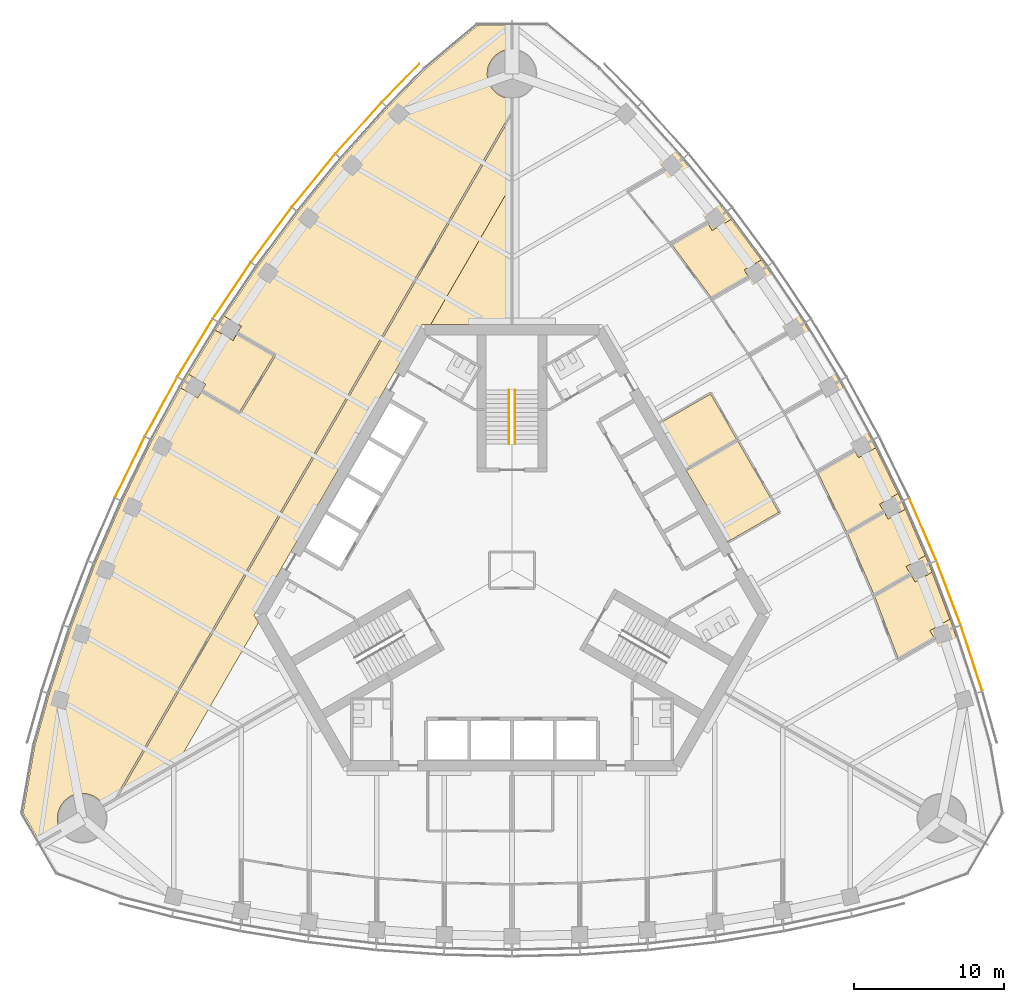
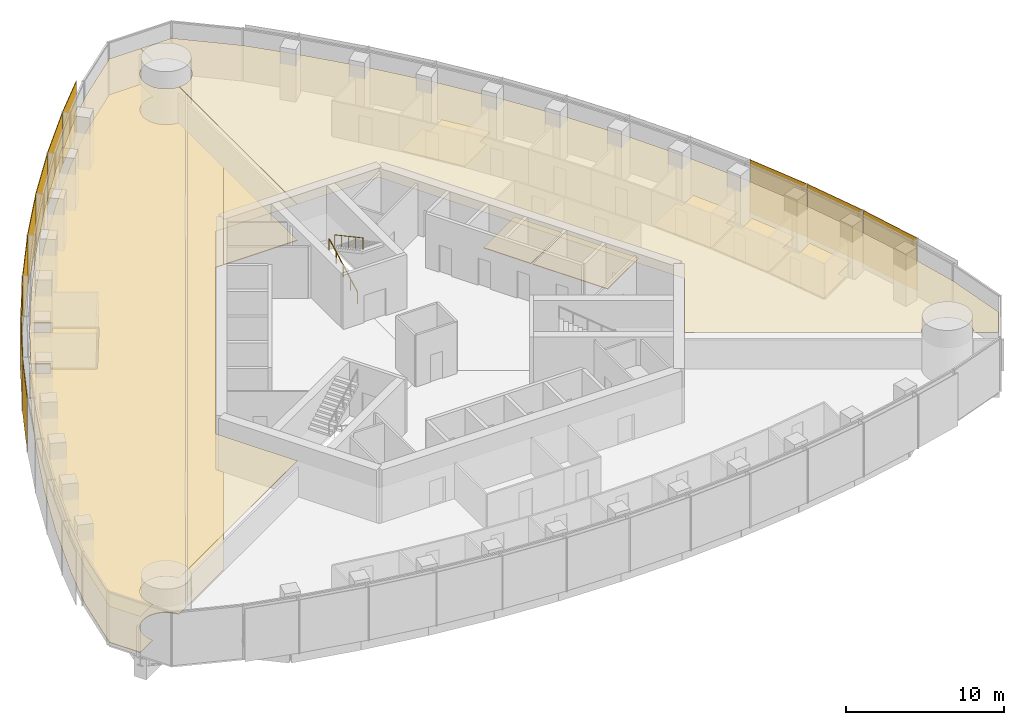
# One storey, part 17 of 20: 12 coverings, 11 shading devices, 2 railings.
"""IFC4 building model written with IfcOpenShell, lengths in metres."""

from ifc_helpers import new_model, si_unit, direction, frame, origin, origin_2d, place, context, subcontext, project, spatial, polyline, rectangle, circle, outline, extrude, material, layer, layer_set, type_object, element, save


model = new_model("IFC4")

# Units and contexts
model_context = context("Model", 3, precision=1e-05, world=origin(), true_north=direction((0.0, 1.0)))
body_context = subcontext(model_context, "Body", "Model", "MODEL_VIEW")
ifc_project = project(units=[si_unit("LENGTHUNIT", "METRE"), si_unit("AREAUNIT", "SQUARE_METRE"), si_unit("VOLUMEUNIT", "CUBIC_METRE"), si_unit("PLANEANGLEUNIT", "RADIAN"), si_unit("MASSUNIT", "GRAM", prefix="KILO")], contexts=[model_context])

# Site, building, storey
site_placement = place(None, origin())
site = spatial("IfcSite", under=ifc_project, at=site_placement, CompositionType="ELEMENT")
building_placement = place(site_placement, origin())
building = spatial("IfcBuilding", under=site, at=building_placement, Name="Trefoil Bronze Tower", CompositionType="ELEMENT")
storey_placement = place(building_placement, frame((0.0, 0.0, 231.699951171875)))
storey = spatial("IfcBuildingStorey", under=building, at=storey_placement, Name="L53", CompositionType="ELEMENT", Elevation=231.699951171875)

# Shading devices
ifc_material_1 = material(Name="Perforated bronze sheet", Category="bronze")
ifc_layer_1 = layer(ifc_material_1, 0.0400390625)
ifc_layer_set_1 = layer_set([ifc_layer_1], Name="Bronze solar screen panel")
shading_device_type = type_object("IfcShadingDeviceType", Name="Bronze solar screen panel", PredefinedType="SHUTTER", material=ifc_layer_set_1)
shading_device_1_placement = place(storey_placement, frame((30.5634765625, -5.86572265625, 0.050048828125), z_axis=(0.0, 0.0, 1.0), x_axis=(-0.310148591821, 0.950688093431, 0.0)))
element("IfcShadingDevice", 1, at=shading_device_1_placement, inside=storey, type_object=shading_device_type, Name="Solar screen CW-A L53 F2 bay 2", PredefinedType="SHUTTER", context=body_context, shape_type="SweptSolid", body=[
    extrude(rectangle(XDim=4.5693359375, YDim=0.0400390625, at=origin_2d()), origin(), (0.0, 0.0, 1.0), 4.10009765625),
])
shading_device_2_placement = place(storey_placement, frame((29.0341796875, -1.52392578125, 0.050048828125), z_axis=(0.0, 0.0, 1.0), x_axis=(-0.354233936517, 0.935156841508, 0.0)))
element("IfcShadingDevice", 2, at=shading_device_2_placement, inside=storey, type_object=shading_device_type, Name="Solar screen CW-A L53 F2 bay 3", PredefinedType="SHUTTER", context=body_context, shape_type="SweptSolid", body=[
    extrude(rectangle(XDim=4.529296875, YDim=0.0400390625, at=origin_2d()), origin(), (0.0, 0.0, 1.0), 4.10009765625),
])
shading_device_3_placement = place(storey_placement, frame((27.317626953125, 2.709716796875, 0.050048828125), z_axis=(0.0, 0.0, 1.0), x_axis=(-0.397220305764, 0.917723285467, 0.0)))
element("IfcShadingDevice", 3, at=shading_device_3_placement, inside=storey, type_object=shading_device_type, Name="Solar screen CW-A L53 F2 bay 4", PredefinedType="SHUTTER", context=body_context, shape_type="SweptSolid", body=[
    extrude(rectangle(XDim=4.5, YDim=0.0400390625, at=origin_2d()), origin(), (0.0, 0.0, 1.0), 4.10009765625),
])
shading_device_4_placement = place(storey_placement, frame((-7.40478515625, 32.40380859375, 0.050048828125), z_axis=(0.0, 0.0, 1.0), x_axis=(-0.698651812425, -0.715461840349, 0.0)))
element("IfcShadingDevice", 4, at=shading_device_4_placement, inside=storey, type_object=shading_device_type, Name="Solar screen CW-A L53 F3 bay 1", PredefinedType="SHUTTER", context=body_context, shape_type="SweptSolid", body=[
    extrude(rectangle(XDim=3.53369140625, YDim=0.0400390625, at=origin_2d()), origin(), (0.0, 0.0, 1.0), 4.10009765625),
])
shading_device_5_placement = place(storey_placement, frame((-10.20166015625, 29.401611328125, 0.050048828125), z_axis=(0.0, 0.0, 1.0), x_axis=(-0.668245744076, -0.743940606181, 0.0)))
element("IfcShadingDevice", 5, at=shading_device_5_placement, inside=storey, type_object=shading_device_type, Name="Solar screen CW-A L53 F3 bay 2", PredefinedType="SHUTTER", context=body_context, shape_type="SweptSolid", body=[
    extrude(rectangle(XDim=4.5693359375, YDim=0.0400390625, at=origin_2d()), origin(), (0.0, 0.0, 1.0), 4.10009765625),
])
shading_device_6_placement = place(storey_placement, frame((-13.197509765625, 25.90625, 0.050048828125), z_axis=(0.0, 0.0, 1.0), x_axis=(-0.63275261301, -0.774354008661, 0.0)))
element("IfcShadingDevice", 6, at=shading_device_6_placement, inside=storey, type_object=shading_device_type, Name="Solar screen CW-A L53 F3 bay 3", PredefinedType="SHUTTER", context=body_context, shape_type="SweptSolid", body=[
    extrude(rectangle(XDim=4.529296875, YDim=0.0400390625, at=origin_2d()), origin(), (0.0, 0.0, 1.0), 4.10009765625),
])
shading_device_7_placement = place(storey_placement, frame((-16.005615234375, 22.302734375, 0.050048828125), z_axis=(0.0, 0.0, 1.0), x_axis=(-0.596161525977, -0.802864518425, 0.0)))
element("IfcShadingDevice", 7, at=shading_device_7_placement, inside=storey, type_object=shading_device_type, Name="Solar screen CW-A L53 F3 bay 4", PredefinedType="SHUTTER", context=body_context, shape_type="SweptSolid", body=[
    extrude(rectangle(XDim=4.5, YDim=0.0400390625, at=origin_2d()), origin(), (0.0, 0.0, 1.0), 4.10009765625),
])
shading_device_8_placement = place(storey_placement, frame((-18.6298828125, 18.59326171875, 0.050048828125), z_axis=(0.0, 0.0, 1.0), x_axis=(-0.558493494706, -0.829508900718, 0.0)))
element("IfcShadingDevice", 8, at=shading_device_8_placement, inside=storey, type_object=shading_device_type, Name="Solar screen CW-A L53 F3 bay 5", PredefinedType="SHUTTER", context=body_context, shape_type="SweptSolid", body=[
    extrude(rectangle(XDim=4.480712890625, YDim=0.0400390625, at=origin_2d()), origin(), (0.0, 0.0, 1.0), 4.10009765625),
])
for number, where, z_axis, x_axis, name in (
    (9, (-21.07275390625, 14.77880859375, 0.050048828125), (0.0, 0.0, 1.0), (-0.519762112739, -0.854311035959, 0.0), "Solar screen CW-A L53 F3 bay 6"),
    (10, (-23.3349609375, 10.860107421875, 0.050048828125), (0.0, 0.0, 1.0), (-0.479974003504, -0.877282711536, 0.0), "Solar screen CW-A L53 F3 bay 7"),
):
    element("IfcShadingDevice", number, at=place(storey_placement, frame(where, z_axis=z_axis, x_axis=x_axis)), inside=storey, type_object=shading_device_type, Name=name, PredefinedType="SHUTTER", context=body_context, shape_type="SweptSolid", body=[
        extrude(rectangle(XDim=4.47119140625, YDim=0.0400390625, at=origin_2d()), origin(), (0.0, 0.0, 1.0), 4.10009765625),
    ])
shading_device_9_placement = place(storey_placement, frame((-25.4169921875, 6.83740234375, 0.050048828125), z_axis=(0.0, 0.0, 1.0), x_axis=(-0.439129033334, -0.898424004623, 0.0)))
element("IfcShadingDevice", 11, at=shading_device_9_placement, inside=storey, type_object=shading_device_type, Name="Solar screen CW-A L53 F3 bay 8", PredefinedType="SHUTTER", context=body_context, shape_type="SweptSolid", body=[
    extrude(rectangle(XDim=4.480712890625, YDim=0.0400390625, at=origin_2d()), origin(), (0.0, 0.0, 1.0), 4.10009765625),
])

# Railings
ifc_material_2 = material(Name="Steel handrail", Category="steel")
railing_type = type_object("IfcRailingType", Name="Handrail 900", PredefinedType="HANDRAIL", material=ifc_material_2)
railing_1_placement = place(storey_placement, frame((-0.199951171875, 8.389892578125, 0.16162109375)))
element("IfcRailing", 12, at=railing_1_placement, inside=storey, type_object=railing_type, Name="Handrail ST2 flight 1 L53", PredefinedType="HANDRAIL", context=body_context, shape_type="SweptSolid", body=[
    extrude(circle(Radius=0.02392578125, at=origin_2d()), frame((0.0, 0.0, 0.8759765625), z_axis=(0.0, 0.880474934443, 0.474092701714), x_axis=(-1.0, 0.0, 0.0)), (0.0, 0.0, 1.0), 4.0888671875),
    extrude(circle(Radius=0.02099609375, at=origin_2d()), origin(), (0.0, 0.0, 1.0), 0.851806640625),
    extrude(circle(Radius=0.02099609375, at=origin_2d()), frame((0.0, 0.89990234375, 0.484619140625)), (0.0, 0.0, 1.0), 0.851806640625),
    extrude(circle(Radius=0.02099609375, at=origin_2d()), frame((0.0, 1.800048828125, 0.96923828125)), (0.0, 0.0, 1.0), 0.851806640625),
    extrude(circle(Radius=0.02099609375, at=origin_2d()), frame((0.0, 2.7001953125, 1.453857421875)), (0.0, 0.0, 1.0), 0.851806640625),
    extrude(circle(Radius=0.02099609375, at=origin_2d()), frame((0.0, 3.60009765625, 1.9384765625)), (0.0, 0.0, 1.0), 0.851806640625),
])
railing_2_placement = place(storey_placement, frame((0.199951171875, 11.989990234375, 2.261474609375)))
element("IfcRailing", 13, at=railing_2_placement, inside=storey, type_object=railing_type, Name="Handrail ST2 flight 2 L53", PredefinedType="HANDRAIL", context=body_context, shape_type="SweptSolid", body=[
    extrude(circle(Radius=0.02392578125, at=origin_2d()), frame((0.0, 0.0, 0.8759765625), z_axis=(0.0, -0.880474934443, 0.474092701714), x_axis=(1.0, 0.0, 0.0)), (0.0, 0.0, 1.0), 4.0888671875),
    extrude(circle(Radius=0.02099609375, at=origin_2d()), origin(), (0.0, 0.0, 1.0), 0.851806640625),
    extrude(circle(Radius=0.02099609375, at=origin_2d()), frame((0.0, -0.89990234375, 0.484619140625)), (0.0, 0.0, 1.0), 0.851806640625),
    extrude(circle(Radius=0.02099609375, at=origin_2d()), frame((0.0, -1.800048828125, 0.96923828125)), (0.0, 0.0, 1.0), 0.851806640625),
    extrude(circle(Radius=0.02099609375, at=origin_2d()), frame((0.0, -2.7001953125, 1.453857421875)), (0.0, 0.0, 1.0), 0.851806640625),
    extrude(circle(Radius=0.02099609375, at=origin_2d()), frame((0.0, -3.60009765625, 1.9384765625)), (0.0, 0.0, 1.0), 0.851806640625),
])

# Coverings
ifc_material_3 = material(Name="Acoustic ceiling panels", Category="mineral fibre")
ifc_layer_2 = layer(ifc_material_3, 0.02001953125)
ifc_layer_set_2 = layer_set([ifc_layer_2], Name="Office ceiling 20")
covering_type_1 = type_object("IfcCoveringType", Name="Office ceiling 20", PredefinedType="CEILING", material=ifc_layer_set_2)
covering_1_placement = place(storey_placement, frame((0.0, 0.0, 2.900146484375)))
element("IfcCovering", 14, at=covering_1_placement, inside=storey, type_object=covering_type_1, Name="Ceiling L53 Open-plan office F2", PredefinedType="CEILING", context=body_context, shape_type="SweptSolid", body=[
    extrude(outline(polyline([(8.26318359375, 30.751708984375), (11.3369140625, 27.329833984375), (14.2216796875, 23.79931640625), (16.92236328125, 20.162353515625), (19.44140625, 16.420654296875), (21.781005859375, 12.5751953125), (23.94140625, 8.62646484375), (25.92236328125, 4.573974609375), (27.7216796875, 0.416748046875), (29.3369140625, -3.846923828125), (30.76318359375, -8.219482421875), (31.7265625, -11.650634765625), (32.518310546875, -16.1416015625), (31.385009765625, -18.1044921875), (30.013916015625, -17.3134765625), (30.033935546875, -17.27783203125), (30.0703125, -17.20556640625), (30.103271484375, -17.13134765625), (30.13232421875, -17.055908203125), (30.15771484375, -16.97900390625), (30.179443359375, -16.90087890625), (30.197021484375, -16.822021484375), (30.2109375, -16.7421875), (30.220947265625, -16.66162109375), (30.226806640625, -16.5810546875), (30.228759765625, -16.5), (30.226806640625, -16.4189453125), (30.220947265625, -16.33837890625), (30.2109375, -16.2578125), (30.197021484375, -16.177978515625), (30.179443359375, -16.09912109375), (30.15771484375, -16.02099609375), (30.13232421875, -15.944091796875), (30.103271484375, -15.86865234375), (30.0703125, -15.79443359375), (30.033935546875, -15.72216796875), (29.994140625, -15.651611328125), (29.95068359375, -15.583251953125), (29.904052734375, -15.51708984375), (29.854248046875, -15.453369140625), (29.801513671875, -15.391845703125), (29.74560546875, -15.333251953125), (29.68701171875, -15.27734375), (29.62548828125, -15.224609375), (29.561767578125, -15.1748046875), (29.49560546875, -15.128173828125), (29.427001953125, -15.084716796875), (29.356689453125, -15.044921875), (29.2841796875, -15.00830078125), (29.210205078125, -14.9755859375), (29.134765625, -14.946533203125), (29.057861328125, -14.9208984375), (28.979736328125, -14.8994140625), (28.900634765625, -14.881591796875), (28.82080078125, -14.867919921875), (28.740478515625, -14.85791015625), (28.659912109375, -14.85205078125), (28.578857421875, -14.85009765625), (28.497802734375, -14.85205078125), (28.4169921875, -14.85791015625), (28.336669921875, -14.867919921875), (28.2568359375, -14.881591796875), (28.177978515625, -14.8994140625), (28.099853515625, -14.9208984375), (28.02294921875, -14.946533203125), (27.947509765625, -14.9755859375), (27.873291015625, -15.00830078125), (27.801025390625, -15.044921875), (27.730712890625, -15.084716796875), (27.662109375, -15.128173828125), (27.595947265625, -15.1748046875), (27.531982421875, -15.224609375), (27.470703125, -15.27734375), (27.412109375, -15.333251953125), (27.356201171875, -15.391845703125), (27.303466796875, -15.453369140625), (27.25341796875, -15.51708984375), (27.206787109375, -15.583251953125), (27.156005859375, -15.6650390625), (14.16259765625, -8.169677734375), (17.147216796875, -3.0), (5.9755859375, 16.35009765625), (0.006103515625, 16.35009765625), (0.01171875, 31.350341796875), (0.0810546875, 31.35205078125), (0.16162109375, 31.35791015625), (0.2421875, 31.367919921875), (0.322021484375, 31.381591796875), (0.40087890625, 31.3994140625), (0.47900390625, 31.4208984375), (0.555908203125, 31.446533203125), (0.63134765625, 31.4755859375), (0.70556640625, 31.50830078125), (0.77783203125, 31.544921875), (0.848388671875, 31.584716796875), (0.916748046875, 31.628173828125), (0.98291015625, 31.6748046875), (1.046630859375, 31.724609375), (1.108154296875, 31.77734375), (1.166748046875, 31.833251953125), (1.22265625, 31.891845703125), (1.275390625, 31.953369140625), (1.3251953125, 32.01708984375), (1.371826171875, 32.083251953125), (1.415283203125, 32.151611328125), (1.455078125, 32.22216796875), (1.49169921875, 32.29443359375), (1.5244140625, 32.36865234375), (1.553466796875, 32.444091796875), (1.5791015625, 32.52099609375), (1.6005859375, 32.59912109375), (1.618408203125, 32.677978515625), (1.632080078125, 32.7578125), (1.64208984375, 32.83837890625), (1.64794921875, 32.9189453125), (1.64990234375, 33.0), (1.64794921875, 33.0810546875), (1.64208984375, 33.16162109375), (1.632080078125, 33.2421875), (1.618408203125, 33.322021484375), (1.6005859375, 33.40087890625), (1.5791015625, 33.47900390625), (1.553466796875, 33.555908203125), (1.5244140625, 33.63134765625), (1.49169921875, 33.70556640625), (1.455078125, 33.77783203125), (1.415283203125, 33.848388671875), (1.371826171875, 33.916748046875), (1.3251953125, 33.98291015625), (1.275390625, 34.046630859375), (1.22265625, 34.108154296875), (1.166748046875, 34.166748046875), (1.108154296875, 34.22265625), (1.046630859375, 34.275390625), (0.98291015625, 34.3251953125), (0.916748046875, 34.371826171875), (0.848388671875, 34.415283203125), (0.77783203125, 34.455078125), (0.70556640625, 34.49169921875), (0.63134765625, 34.5244140625), (0.555908203125, 34.553466796875), (0.47900390625, 34.5791015625), (0.40087890625, 34.6005859375), (0.322021484375, 34.618408203125), (0.2421875, 34.632080078125), (0.16162109375, 34.64208984375), (0.0810546875, 34.64794921875), (0.012939453125, 34.649658203125), (0.013671875, 36.232666015625), (2.280029296875, 36.232666015625), (5.7734375, 33.30126953125), (8.26318359375, 30.751708984375)])), origin(), (0.0, 0.0, 1.0), 0.02001953125),
])
covering_2_placement = place(storey_placement, frame((0.0, 0.0, 2.900146484375)))
element("IfcCovering", 15, at=covering_2_placement, inside=storey, type_object=covering_type_1, Name="Ceiling L53 Open-plan office F3", PredefinedType="CEILING", context=body_context, shape_type="SweptSolid", body=[
    extrude(outline(polyline([(-30.76318359375, -8.219482421875), (-29.3369140625, -3.846923828125), (-27.7216796875, 0.416748046875), (-25.92236328125, 4.573974609375), (-23.94140625, 8.62646484375), (-21.781005859375, 12.5751953125), (-19.44140625, 16.420654296875), (-16.92236328125, 20.162353515625), (-14.2216796875, 23.79931640625), (-11.3369140625, 27.329833984375), (-8.26318359375, 30.751708984375), (-5.7734375, 33.30126953125), (-2.280029296875, 36.232666015625), (-0.013671875, 36.232666015625), (-0.012939453125, 34.649658203125), (-0.0810546875, 34.64794921875), (-0.16162109375, 34.64208984375), (-0.2421875, 34.632080078125), (-0.322021484375, 34.618408203125), (-0.40087890625, 34.6005859375), (-0.47900390625, 34.5791015625), (-0.555908203125, 34.553466796875), (-0.63134765625, 34.5244140625), (-0.70556640625, 34.49169921875), (-0.77783203125, 34.455078125), (-0.848388671875, 34.415283203125), (-0.916748046875, 34.371826171875), (-0.98291015625, 34.3251953125), (-1.046630859375, 34.275390625), (-1.108154296875, 34.22265625), (-1.166748046875, 34.166748046875), (-1.22265625, 34.108154296875), (-1.275390625, 34.046630859375), (-1.3251953125, 33.98291015625), (-1.371826171875, 33.916748046875), (-1.415283203125, 33.848388671875), (-1.455078125, 33.77783203125), (-1.49169921875, 33.70556640625), (-1.5244140625, 33.63134765625), (-1.553466796875, 33.555908203125), (-1.5791015625, 33.47900390625), (-1.6005859375, 33.40087890625), (-1.618408203125, 33.322021484375), (-1.632080078125, 33.2421875), (-1.64208984375, 33.16162109375), (-1.64794921875, 33.0810546875), (-1.64990234375, 33.0), (-1.64794921875, 32.9189453125), (-1.64208984375, 32.83837890625), (-1.632080078125, 32.7578125), (-1.618408203125, 32.677978515625), (-1.6005859375, 32.59912109375), (-1.5791015625, 32.52099609375), (-1.553466796875, 32.444091796875), (-1.5244140625, 32.36865234375), (-1.49169921875, 32.29443359375), (-1.455078125, 32.22216796875), (-1.415283203125, 32.151611328125), (-1.371826171875, 32.083251953125), (-1.3251953125, 32.01708984375), (-1.275390625, 31.953369140625), (-1.22265625, 31.891845703125), (-1.166748046875, 31.833251953125), (-1.108154296875, 31.77734375), (-1.046630859375, 31.724609375), (-0.98291015625, 31.6748046875), (-0.916748046875, 31.628173828125), (-0.848388671875, 31.584716796875), (-0.77783203125, 31.544921875), (-0.70556640625, 31.50830078125), (-0.63134765625, 31.4755859375), (-0.555908203125, 31.446533203125), (-0.47900390625, 31.4208984375), (-0.40087890625, 31.3994140625), (-0.322021484375, 31.381591796875), (-0.2421875, 31.367919921875), (-0.16162109375, 31.35791015625), (-0.0810546875, 31.35205078125), (-0.01171875, 31.350341796875), (-0.006103515625, 16.35009765625), (-5.9755859375, 16.35009765625), (-17.147216796875, -3.0), (-14.16259765625, -8.169677734375), (-27.156005859375, -15.6650390625), (-27.206787109375, -15.583251953125), (-27.25341796875, -15.51708984375), (-27.303466796875, -15.453369140625), (-27.356201171875, -15.391845703125), (-27.412109375, -15.333251953125), (-27.470703125, -15.27734375), (-27.531982421875, -15.224609375), (-27.595947265625, -15.1748046875), (-27.662109375, -15.128173828125), (-27.730712890625, -15.084716796875), (-27.801025390625, -15.044921875), (-27.873291015625, -15.00830078125), (-27.947509765625, -14.9755859375), (-28.02294921875, -14.946533203125), (-28.099853515625, -14.9208984375), (-28.177978515625, -14.8994140625), (-28.2568359375, -14.881591796875), (-28.336669921875, -14.867919921875), (-28.4169921875, -14.85791015625), (-28.497802734375, -14.85205078125), (-28.578857421875, -14.85009765625), (-28.659912109375, -14.85205078125), (-28.740478515625, -14.85791015625), (-28.82080078125, -14.867919921875), (-28.900634765625, -14.881591796875), (-28.979736328125, -14.8994140625), (-29.057861328125, -14.9208984375), (-29.134765625, -14.946533203125), (-29.210205078125, -14.9755859375), (-29.2841796875, -15.00830078125), (-29.356689453125, -15.044921875), (-29.427001953125, -15.084716796875), (-29.49560546875, -15.128173828125), (-29.561767578125, -15.1748046875), (-29.62548828125, -15.224609375), (-29.68701171875, -15.27734375), (-29.74560546875, -15.333251953125), (-29.801513671875, -15.391845703125), (-29.854248046875, -15.453369140625), (-29.904052734375, -15.51708984375), (-29.95068359375, -15.583251953125), (-29.994140625, -15.651611328125), (-30.033935546875, -15.72216796875), (-30.0703125, -15.79443359375), (-30.103271484375, -15.86865234375), (-30.13232421875, -15.944091796875), (-30.15771484375, -16.02099609375), (-30.179443359375, -16.09912109375), (-30.197021484375, -16.177978515625), (-30.2109375, -16.2578125), (-30.220947265625, -16.33837890625), (-30.226806640625, -16.4189453125), (-30.228759765625, -16.5), (-30.226806640625, -16.5810546875), (-30.220947265625, -16.66162109375), (-30.2109375, -16.7421875), (-30.197021484375, -16.822021484375), (-30.179443359375, -16.90087890625), (-30.15771484375, -16.97900390625), (-30.13232421875, -17.055908203125), (-30.103271484375, -17.13134765625), (-30.0703125, -17.20556640625), (-30.033935546875, -17.27783203125), (-30.013916015625, -17.3134765625), (-31.385009765625, -18.1044921875), (-32.518310546875, -16.1416015625), (-31.7265625, -11.650634765625), (-30.76318359375, -8.219482421875)])), origin(), (0.0, 0.0, 1.0), 0.02001953125),
])
ifc_material_4 = material(Name="Raised access floor panels", Category="steel")
ifc_layer_3 = layer(ifc_material_4, 0.050048828125)
ifc_layer_set_3 = layer_set([ifc_layer_3], Name="Raised access floor 150")
covering_type_2 = type_object("IfcCoveringType", Name="Raised access floor 150", PredefinedType="FLOORING", material=ifc_layer_set_3)
covering_3_placement = place(storey_placement, frame((0.0, 0.0, 0.10009765625)))
element("IfcCovering", 16, at=covering_3_placement, inside=storey, type_object=covering_type_2, Name="Raised floor L53 Meeting room F2", PredefinedType="FLOORING", context=body_context, shape_type="SweptSolid", body=[
    extrude(outline(polyline([(11.59130859375, 6.623046875), (15.003662109375, 8.593017578125), (17.74365234375, 3.84716796875), (14.331298828125, 1.877197265625), (11.59130859375, 6.623046875)])), origin(), (0.0, 0.0, 1.0), 0.050048828125),
])
covering_4_placement = place(storey_placement, frame((0.0, 0.0, 0.10009765625)))
element("IfcCovering", 17, at=covering_4_placement, inside=storey, type_object=covering_type_2, Name="Raised floor L53 Meeting room F2", PredefinedType="FLOORING", context=body_context, shape_type="SweptSolid", body=[
    extrude(outline(polyline([(9.79150390625, 9.74072265625), (13.20361328125, 11.710693359375), (14.943603515625, 8.697021484375), (11.531494140625, 6.72705078125), (9.79150390625, 9.74072265625)])), origin(), (0.0, 0.0, 1.0), 0.050048828125),
])
covering_5_placement = place(storey_placement, frame((0.0, 0.0, 0.10009765625)))
element("IfcCovering", 18, at=covering_5_placement, inside=storey, type_object=covering_type_2, Name="Raised floor L53 Office F2", PredefinedType="FLOORING", context=body_context, shape_type="SweptSolid", body=[
    extrude(outline(polyline([(16.5791015625, 20.624755859375), (15.445068359375, 19.97021484375), (15.701171875, 19.526611328125), (13.258056640625, 18.1162109375), (10.62939453125, 21.656005859375), (13.0380859375, 23.046875), (13.304931640625, 22.584716796875), (14.577880859375, 23.319580078125), (16.5791015625, 20.624755859375)])), origin(), (0.0, 0.0, 1.0), 0.050048828125),
])
covering_6_placement = place(storey_placement, frame((0.0, 0.0, 0.10009765625)))
element("IfcCovering", 19, at=covering_6_placement, inside=storey, type_object=covering_type_2, Name="Raised floor L53 Office F2", PredefinedType="FLOORING", context=body_context, shape_type="SweptSolid", body=[
    extrude(outline(polyline([(24.701171875, 3.938232421875), (22.267333984375, 2.533203125), (20.33935546875, 6.4775390625), (22.796875, 7.896240234375), (22.766845703125, 7.9482421875), (22.77197265625, 7.951416015625), (23.046875, 7.475341796875), (24.18359375, 8.131591796875), (25.67041015625, 5.089111328125), (24.445068359375, 4.381591796875), (24.701171875, 3.938232421875)])), origin(), (0.0, 0.0, 1.0), 0.050048828125),
])
covering_7_placement = place(storey_placement, frame((0.0, 0.0, 0.10009765625)))
element("IfcCovering", 20, at=covering_7_placement, inside=storey, type_object=covering_type_2, Name="Raised floor L53 Office F2", PredefinedType="FLOORING", context=body_context, shape_type="SweptSolid", body=[
    extrude(outline(polyline([(26.478271484375, -0.23193359375), (24.0693359375, -1.622802734375), (22.318115234375, 2.423583984375), (24.760986328125, 3.834228515625), (25.01708984375, 3.390625), (26.151123046875, 4.04541015625), (27.484375, 0.965087890625), (26.21142578125, 0.22998046875), (26.478271484375, -0.23193359375)])), origin(), (0.0, 0.0, 1.0), 0.050048828125),
])
covering_8_placement = place(storey_placement, frame((0.0, 0.0, 0.10009765625)))
element("IfcCovering", 21, at=covering_8_placement, inside=storey, type_object=covering_type_2, Name="Raised floor L53 Office F2", PredefinedType="FLOORING", context=body_context, shape_type="SweptSolid", body=[
    extrude(outline(polyline([(28.070556640625, -4.5087890625), (25.687255859375, -5.884765625), (24.115234375, -1.73486328125), (26.5380859375, -0.3359375), (26.804931640625, -0.7978515625), (27.934814453125, -0.1455078125), (29.116455078125, -3.265380859375), (27.793701171875, -4.029296875), (28.070556640625, -4.5087890625)])), origin(), (0.0, 0.0, 1.0), 0.050048828125),
])
covering_9_placement = place(storey_placement, frame((0.0, 0.0, 0.10009765625)))
element("IfcCovering", 22, at=covering_9_placement, inside=storey, type_object=covering_type_2, Name="Raised floor L53 Meeting room F3", PredefinedType="FLOORING", context=body_context, shape_type="SweptSolid", body=[
    extrude(outline(polyline([(-18.266845703125, 15.742431640625), (-18.296875, 15.690673828125), (-15.843994140625, 14.2744140625), (-18.121337890625, 10.531494140625), (-20.57763671875, 11.94970703125), (-20.607666015625, 11.897705078125), (-20.6328125, 11.912353515625), (-20.36962890625, 12.367919921875), (-21.507568359375, 13.02490234375), (-19.727294921875, 15.951171875), (-18.546875, 15.26953125), (-18.27197265625, 15.74560546875), (-18.266845703125, 15.742431640625)])), origin(), (0.0, 0.0, 1.0), 0.050048828125),
])
covering_10_placement = place(storey_placement, frame((0.0, 0.0, 0.10009765625)))
element("IfcCovering", 23, at=covering_10_placement, inside=storey, type_object=covering_type_2, Name="Raised floor L53 Corridor F3", PredefinedType="FLOORING", context=body_context, shape_type="SweptSolid", body=[
    extrude(outline(polyline([(-26.229248046875, -15.13037109375), (-0.011474609375, 30.2802734375), (-0.009521484375, 25.683349609375), (-5.398193359375, 16.35009765625), (-5.9755859375, 16.35009765625), (-17.147216796875, -3.0), (-16.858642578125, -3.5), (-22.247314453125, -12.833251953125), (-26.229248046875, -15.13037109375)])), origin(), (0.0, 0.0, 1.0), 0.050048828125),
])
covering_11_placement = place(storey_placement, frame((0.0, 0.0, 0.10009765625)))
element("IfcCovering", 24, at=covering_11_placement, inside=storey, type_object=covering_type_2, Name="Raised floor L53 Open-plan office F3", PredefinedType="FLOORING", context=body_context, shape_type="SweptSolid", body=[
    extrude(outline(polyline([(-23.94140625, 8.62646484375), (-22.03369140625, 12.11376953125), (-20.895751953125, 11.456787109375), (-20.6328125, 11.912353515625), (-20.607666015625, 11.897705078125), (-20.6376953125, 11.845947265625), (-18.130615234375, 10.3984375), (-18.1005859375, 10.4501953125), (-18.04931640625, 10.419189453125), (-15.709716796875, 14.264404296875), (-15.760986328125, 14.295654296875), (-15.73095703125, 14.34765625), (-18.23681640625, 15.79443359375), (-18.266845703125, 15.742431640625), (-18.27197265625, 15.74560546875), (-17.997314453125, 16.221435546875), (-19.1337890625, 16.877685546875), (-16.92236328125, 20.162353515625), (-14.2216796875, 23.79931640625), (-11.3369140625, 27.329833984375), (-8.26318359375, 30.751708984375), (-5.7734375, 33.30126953125), (-2.280029296875, 36.232666015625), (-0.013671875, 36.232666015625), (-0.012939453125, 34.649658203125), (-0.0810546875, 34.64794921875), (-0.16162109375, 34.64208984375), (-0.2421875, 34.632080078125), (-0.322021484375, 34.618408203125), (-0.40087890625, 34.6005859375), (-0.47900390625, 34.5791015625), (-0.555908203125, 34.553466796875), (-0.63134765625, 34.5244140625), (-0.70556640625, 34.49169921875), (-0.77783203125, 34.455078125), (-0.848388671875, 34.415283203125), (-0.916748046875, 34.371826171875), (-0.98291015625, 34.3251953125), (-1.046630859375, 34.275390625), (-1.108154296875, 34.22265625), (-1.166748046875, 34.166748046875), (-1.22265625, 34.108154296875), (-1.275390625, 34.046630859375), (-1.3251953125, 33.98291015625), (-1.371826171875, 33.916748046875), (-1.415283203125, 33.848388671875), (-1.455078125, 33.77783203125), (-1.49169921875, 33.70556640625), (-1.5244140625, 33.63134765625), (-1.553466796875, 33.555908203125), (-1.5791015625, 33.47900390625), (-1.6005859375, 33.40087890625), (-1.618408203125, 33.322021484375), (-1.632080078125, 33.2421875), (-1.64208984375, 33.16162109375), (-1.64794921875, 33.0810546875), (-1.64990234375, 33.0), (-1.64794921875, 32.9189453125), (-1.64208984375, 32.83837890625), (-1.632080078125, 32.7578125), (-1.618408203125, 32.677978515625), (-1.6005859375, 32.59912109375), (-1.5791015625, 32.52099609375), (-1.553466796875, 32.444091796875), (-1.5244140625, 32.36865234375), (-1.49169921875, 32.29443359375), (-1.455078125, 32.22216796875), (-1.415283203125, 32.151611328125), (-1.371826171875, 32.083251953125), (-1.3251953125, 32.01708984375), (-1.275390625, 31.953369140625), (-1.22265625, 31.891845703125), (-1.166748046875, 31.833251953125), (-1.108154296875, 31.77734375), (-1.046630859375, 31.724609375), (-0.98291015625, 31.6748046875), (-0.916748046875, 31.628173828125), (-0.848388671875, 31.584716796875), (-0.77783203125, 31.544921875), (-0.70556640625, 31.50830078125), (-0.63134765625, 31.4755859375), (-0.555908203125, 31.446533203125), (-0.47900390625, 31.4208984375), (-0.40087890625, 31.3994140625), (-0.322021484375, 31.381591796875), (-0.2421875, 31.367919921875), (-0.16162109375, 31.35791015625), (-0.0810546875, 31.35205078125), (-0.01171875, 31.350341796875), (-0.011474609375, 30.388671875), (-0.068359375, 30.421630859375), (-26.380126953125, -15.151611328125), (-26.322998046875, -15.1845703125), (-27.156005859375, -15.6650390625), (-27.206787109375, -15.583251953125), (-27.25341796875, -15.51708984375), (-27.303466796875, -15.453369140625), (-27.356201171875, -15.391845703125), (-27.412109375, -15.333251953125), (-27.470703125, -15.27734375), (-27.531982421875, -15.224609375), (-27.595947265625, -15.1748046875), (-27.662109375, -15.128173828125), (-27.730712890625, -15.084716796875), (-27.801025390625, -15.044921875), (-27.873291015625, -15.00830078125), (-27.947509765625, -14.9755859375), (-28.02294921875, -14.946533203125), (-28.099853515625, -14.9208984375), (-28.177978515625, -14.8994140625), (-28.2568359375, -14.881591796875), (-28.336669921875, -14.867919921875), (-28.4169921875, -14.85791015625), (-28.497802734375, -14.85205078125), (-28.578857421875, -14.85009765625), (-28.659912109375, -14.85205078125), (-28.740478515625, -14.85791015625), (-28.82080078125, -14.867919921875), (-28.900634765625, -14.881591796875), (-28.979736328125, -14.8994140625), (-29.057861328125, -14.9208984375), (-29.134765625, -14.946533203125), (-29.210205078125, -14.9755859375), (-29.2841796875, -15.00830078125), (-29.356689453125, -15.044921875), (-29.427001953125, -15.084716796875), (-29.49560546875, -15.128173828125), (-29.561767578125, -15.1748046875), (-29.62548828125, -15.224609375), (-29.68701171875, -15.27734375), (-29.74560546875, -15.333251953125), (-29.801513671875, -15.391845703125), (-29.854248046875, -15.453369140625), (-29.904052734375, -15.51708984375), (-29.95068359375, -15.583251953125), (-29.994140625, -15.651611328125), (-30.033935546875, -15.72216796875), (-30.0703125, -15.79443359375), (-30.103271484375, -15.86865234375), (-30.13232421875, -15.944091796875), (-30.15771484375, -16.02099609375), (-30.179443359375, -16.09912109375), (-30.197021484375, -16.177978515625), (-30.2109375, -16.2578125), (-30.220947265625, -16.33837890625), (-30.226806640625, -16.4189453125), (-30.228759765625, -16.5), (-30.226806640625, -16.5810546875), (-30.220947265625, -16.66162109375), (-30.2109375, -16.7421875), (-30.197021484375, -16.822021484375), (-30.179443359375, -16.90087890625), (-30.15771484375, -16.97900390625), (-30.13232421875, -17.055908203125), (-30.103271484375, -17.13134765625), (-30.0703125, -17.20556640625), (-30.033935546875, -17.27783203125), (-30.013916015625, -17.3134765625), (-31.385009765625, -18.1044921875), (-32.518310546875, -16.1416015625), (-31.7265625, -11.650634765625), (-30.76318359375, -8.219482421875), (-29.3369140625, -3.846923828125), (-27.7216796875, 0.416748046875), (-25.92236328125, 4.573974609375), (-23.94140625, 8.62646484375)])), origin(), (0.0, 0.0, 1.0), 0.050048828125),
])
covering_12_placement = place(storey_placement, frame((0.0, 0.0, 0.10009765625)))
element("IfcCovering", 25, at=covering_12_placement, inside=storey, type_object=covering_type_2, Name="Raised floor L53 Open-plan office F3", PredefinedType="FLOORING", context=body_context, shape_type="SweptSolid", body=[
    extrude(outline(polyline([(-0.006103515625, 16.35009765625), (-5.398193359375, 16.35009765625), (-0.009521484375, 25.683349609375), (-0.006103515625, 16.35009765625)])), origin(), (0.0, 0.0, 1.0), 0.050048828125),
])

save(model, "model.ifc")
